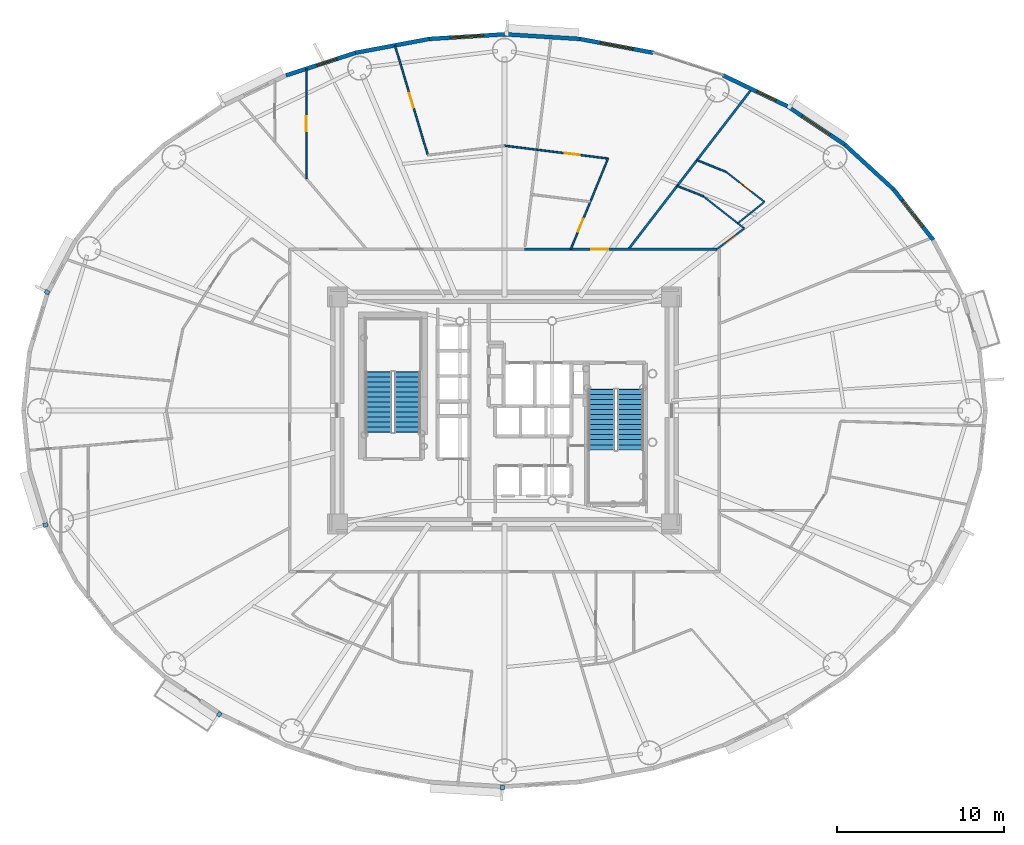
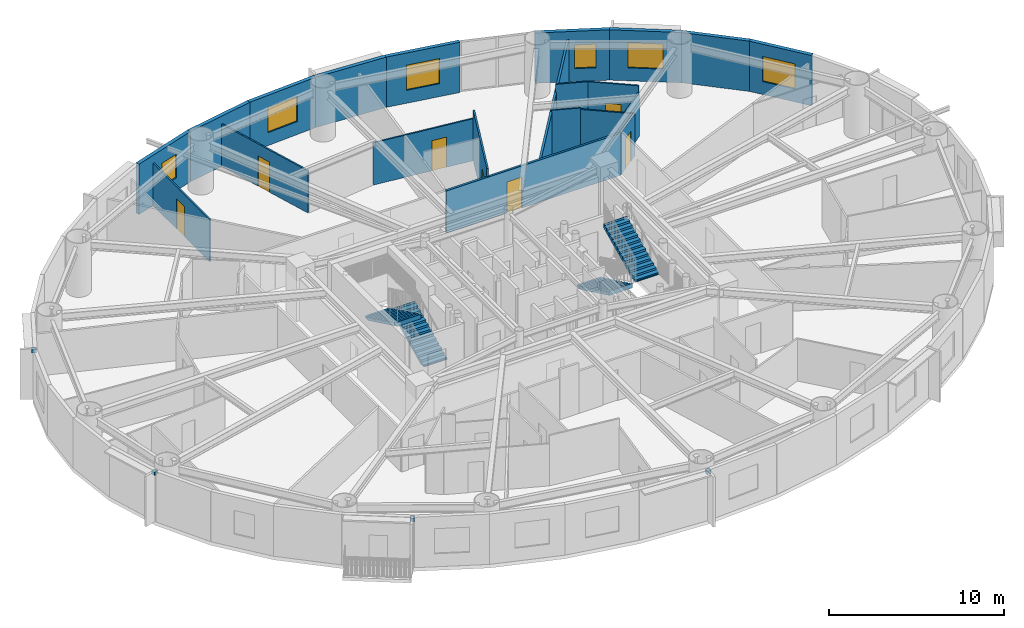
# One storey, part 11 of 18: 21 walls, 7 doors, 6 windows, 4 discrete accessories, 4 stair flights, 13 openings, 2 elements without a shape of their own.
"""IFC4 building model written with IfcOpenShell, lengths in metres."""

from ifc_helpers import new_model, si_unit, direction, frame, frame_2d, origin, origin_2d, place, context, subcontext, project, spatial, polyline, rectangle, outline, extrude, source, transform, mapped, material, layer, layer_set, type_object, element, fill, aggregate, save


model = new_model("IFC4")

# Units and contexts
model_context = context("Model", 3, precision=1e-05, world=origin(), true_north=direction((0.0, 1.0)))
body_context = subcontext(model_context, "Body", "Model", "MODEL_VIEW")
ifc_project = project(units=[si_unit("LENGTHUNIT", "METRE"), si_unit("AREAUNIT", "SQUARE_METRE"), si_unit("VOLUMEUNIT", "CUBIC_METRE"), si_unit("PLANEANGLEUNIT", "RADIAN"), si_unit("MASSUNIT", "GRAM", prefix="KILO")], contexts=[model_context])

# Site, building, storey
site_placement = place(None, origin())
site = spatial("IfcSite", under=ifc_project, at=site_placement, CompositionType="ELEMENT")
building_placement = place(site_placement, origin())
building = spatial("IfcBuilding", under=site, at=building_placement, Name="Linh Dai School and Residence Tower", CompositionType="ELEMENT")
storey_placement = place(building_placement, frame((0.0, 0.0, 100.949951171875)))
storey = spatial("IfcBuildingStorey", under=building, at=storey_placement, Name="L23", CompositionType="ELEMENT", Elevation=100.949951171875)

# Wall, opening, window
ifc_material_1 = material(Name="Precast Concrete B45 (C35/45)", Category="concrete")
ifc_layer_1 = layer(ifc_material_1, 0.239990234375)
ifc_layer_set_1 = layer_set([ifc_layer_1], Name="Precast Concrete B45 (C35/45)")
wall_type_1 = type_object("IfcWallType", Name="EW-TC-240", PredefinedType="SOLIDWALL", material=ifc_layer_set_1)
wall_1_placement = place(storey_placement, frame((59.2890625, 40.216552734375, 0.0), z_axis=(0.0, 0.0, 1.0), x_axis=(0.616272103517, -0.787533297345, 0.0)))
wall_1 = element("IfcWall", 1, at=wall_1_placement, inside=storey, type_object=wall_type_1, Name="L23 Terracotta Exterior Wall 04", PredefinedType="SOLIDWALL", context=body_context, shape_type="SweptSolid", body=[
    extrude(rectangle(XDim=3.8232421875, YDim=0.239990234375, at=frame_2d((1.91162109375, 0.0))), origin(), (0.0, 0.0, 1.0), 3.5),
])
opening_1_placement = place(wall_1_placement, frame((0.823974609375, 0.0, 0.89990234375)))
opening_1 = element("IfcOpeningElement", 2, at=opening_1_placement, cuts=wall_1, Name="Opening W1", PredefinedType="OPENING", context=body_context, shape_type="SweptSolid", body=[
    extrude(rectangle(XDim=2.0, YDim=1.75, at=origin_2d()), frame((1.0, 0.1298828125, 0.875), z_axis=(0.0, -1.0, 0.0), x_axis=(1.0, 0.0, 0.0)), (0.0, 0.0, 1.0), 0.260009765625),
])
ifc_material_2 = material(Name="Double Low-E Insulated Glazing", Category="glass")
window_type_1 = type_object("IfcWindowType", Name="WN-RES-2000x1750", PartitioningType="DOUBLE_PANEL_VERTICAL", PredefinedType="WINDOW", material=ifc_material_2)
shared_shape_1 = source(origin(), body_context, "Body", "SweptSolid", [
    extrude(rectangle(XDim=2.0, YDim=1.75, at=origin_2d()), frame((1.0, 0.030029296875, 0.875), z_axis=(0.0, -1.0, 0.0), x_axis=(1.0, 0.0, 0.0)), (0.0, 0.0, 1.0), 0.06005859375),
])
window_1_placement = place(opening_1_placement, origin())
window_1 = element("IfcWindow", 3, at=window_1_placement, inside=storey, type_object=window_type_1, Name="L23 Exterior Window 04.1", OverallHeight=1.75, OverallWidth=2.0, PartitioningType="DOUBLE_PANEL_VERTICAL", PredefinedType="WINDOW", context=body_context, shape_type="MappedRepresentation", body=[
    mapped(shared_shape_1, transform((0.0, 0.0, 0.0), x_axis=(1.0, 0.0, 0.0), y_axis=(0.0, 1.0, 0.0), z_axis=(0.0, 0.0, 1.0), scale=1.0)),
])
fill(opening_1, window_1)

# Wall
wall_2_placement = place(storey_placement, frame((56.3583984375, 42.9033203125, 0.0), z_axis=(0.0, 0.0, 1.0), x_axis=(0.737113356241, -0.675769117414, 0.0)))
element("IfcWall", 4, at=wall_2_placement, inside=storey, type_object=wall_type_1, Name="L23 Terracotta Exterior Wall 05", PredefinedType="SOLIDWALL", context=body_context, shape_type="SweptSolid", body=[
    extrude(rectangle(XDim=3.975830078125, YDim=0.239990234375, at=frame_2d((1.98779296875, 0.0))), origin(), (0.0, 0.0, 1.0), 3.5),
])

# Wall, opening, window
wall_3_placement = place(storey_placement, frame((52.92529296875, 45.199462890625, 0.0), z_axis=(0.0, 0.0, 1.0), x_axis=(0.831221811447, -0.555940914284, 0.0)))
wall_3 = element("IfcWall", 5, at=wall_3_placement, inside=storey, type_object=wall_type_1, Name="L23 Terracotta Exterior Wall 06", PredefinedType="SOLIDWALL", context=body_context, shape_type="SweptSolid", body=[
    extrude(rectangle(XDim=4.130126953125, YDim=0.239990234375, at=frame_2d((2.06494140625, 0.0))), origin(), (0.0, 0.0, 1.0), 3.5),
])
opening_2_placement = place(wall_3_placement, frame((1.06494140625, 0.0, 0.89990234375)))
opening_2 = element("IfcOpeningElement", 6, at=opening_2_placement, cuts=wall_3, Name="Opening W1", PredefinedType="OPENING", context=body_context, shape_type="SweptSolid", body=[
    extrude(rectangle(XDim=2.0, YDim=1.75, at=origin_2d()), frame((1.0, 0.1298828125, 0.875), z_axis=(0.0, -1.0, 0.0), x_axis=(1.0, 0.0, 0.0)), (0.0, 0.0, 1.0), 0.260009765625),
])
window_2_placement = place(opening_2_placement, origin())
window_2 = element("IfcWindow", 7, at=window_2_placement, inside=storey, type_object=window_type_1, Name="L23 Exterior Window 06.1", OverallHeight=1.75, OverallWidth=2.0, PartitioningType="DOUBLE_PANEL_VERTICAL", PredefinedType="WINDOW", context=body_context, shape_type="MappedRepresentation", body=[
    mapped(shared_shape_1, transform((0.0, 0.0, 0.0), x_axis=(1.0, 0.0, 0.0), y_axis=(0.0, 1.0, 0.0), z_axis=(0.0, 0.0, 1.0), scale=1.0)),
])
fill(opening_2, window_2)

wall_4_placement = place(storey_placement, frame((49.073974609375, 47.04736328125, 0.0), z_axis=(0.0, 0.0, 1.0), x_axis=(0.901589935876, -0.432591709962, 0.0)))
wall_4 = element("IfcWall", 8, at=wall_4_placement, inside=storey, type_object=wall_type_1, Name="L23 Terracotta Exterior Wall 07", PredefinedType="SOLIDWALL", context=body_context, shape_type="SweptSolid", body=[
    extrude(rectangle(XDim=4.271728515625, YDim=0.239990234375, at=frame_2d((2.1357421875, 0.0))), origin(), (0.0, 0.0, 1.0), 3.5),
])
opening_3_placement = place(wall_4_placement, frame((2.251953125, 0.0, 0.89990234375)))
opening_3 = element("IfcOpeningElement", 9, at=opening_3_placement, cuts=wall_4, Name="Opening W3", PredefinedType="OPENING", context=body_context, shape_type="SweptSolid", body=[
    extrude(rectangle(XDim=1.25, YDim=1.64990234375, at=origin_2d()), frame((0.625, 0.1298828125, 0.824951171875), z_axis=(0.0, -1.0, 0.0), x_axis=(1.0, 0.0, 0.0)), (0.0, 0.0, 1.0), 0.260009765625),
])
window_type_2 = type_object("IfcWindowType", Name="WN-RES-1250x1650", PartitioningType="SINGLE_PANEL", PredefinedType="WINDOW", material=ifc_material_2)
shared_shape_2 = source(origin(), body_context, "Body", "SweptSolid", [
    extrude(rectangle(XDim=1.25, YDim=1.64990234375, at=origin_2d()), frame((0.625, 0.030029296875, 0.824951171875), z_axis=(0.0, -1.0, 0.0), x_axis=(1.0, 0.0, 0.0)), (0.0, 0.0, 1.0), 0.06005859375),
])
window_3_placement = place(opening_3_placement, origin())
window_3 = element("IfcWindow", 10, at=window_3_placement, inside=storey, type_object=window_type_2, Name="L23 Exterior Window 07.1", OverallHeight=1.64990234375, OverallWidth=1.25, PartitioningType="SINGLE_PANEL", PredefinedType="WINDOW", context=body_context, shape_type="MappedRepresentation", body=[
    mapped(shared_shape_2, transform((0.0, 0.0, 0.0), x_axis=(1.0, 0.0, 0.0), y_axis=(0.0, 1.0, 0.0), z_axis=(0.0, 0.0, 1.0), scale=1.0)),
])
fill(opening_3, window_3)

wall_5_placement = place(storey_placement, frame((40.505615234375, 49.227294921875, 0.0), z_axis=(0.0, 0.0, 1.0), x_axis=(0.982789252177, -0.184730305596, 0.0)))
wall_5 = element("IfcWall", 11, at=wall_5_placement, inside=storey, type_object=wall_type_1, Name="L23 Terracotta Exterior Wall 09", PredefinedType="SOLIDWALL", context=body_context, shape_type="SweptSolid", body=[
    extrude(rectangle(XDim=4.470947265625, YDim=0.239990234375, at=frame_2d((2.2353515625, 0.0))), origin(), (0.0, 0.0, 1.0), 3.5),
])
opening_4_placement = place(wall_5_placement, frame((1.235595703125, 0.0, 0.89990234375)))
opening_4 = element("IfcOpeningElement", 12, at=opening_4_placement, cuts=wall_5, Name="Opening W1", PredefinedType="OPENING", context=body_context, shape_type="SweptSolid", body=[
    extrude(rectangle(XDim=2.0, YDim=1.75, at=origin_2d()), frame((1.0, 0.1298828125, 0.875), z_axis=(0.0, -1.0, 0.0), x_axis=(1.0, 0.0, 0.0)), (0.0, 0.0, 1.0), 0.260009765625),
])
window_4_placement = place(opening_4_placement, origin())
window_4 = element("IfcWindow", 13, at=window_4_placement, inside=storey, type_object=window_type_1, Name="L23 Exterior Window 09.1", OverallHeight=1.75, OverallWidth=2.0, PartitioningType="DOUBLE_PANEL_VERTICAL", PredefinedType="WINDOW", context=body_context, shape_type="MappedRepresentation", body=[
    mapped(shared_shape_1, transform((0.0, 0.0, 0.0), x_axis=(1.0, 0.0, 0.0), y_axis=(0.0, 1.0, 0.0), z_axis=(0.0, 0.0, 1.0), scale=1.0)),
])
fill(opening_4, window_4)

# Wall
wall_6_placement = place(storey_placement, frame((36.0, 49.5048828125, 0.0), z_axis=(0.0, 0.0, 1.0), x_axis=(0.998107531589, -0.061492726276, 0.0)))
element("IfcWall", 14, at=wall_6_placement, inside=storey, type_object=wall_type_1, Name="L23 Terracotta Exterior Wall 10", PredefinedType="SOLIDWALL", context=body_context, shape_type="SweptSolid", body=[
    extrude(rectangle(XDim=4.51416015625, YDim=0.239990234375, at=frame_2d((2.257080078125, 0.0))), origin(), (0.0, 0.0, 1.0), 3.5),
])

# Wall, opening, window
wall_7_placement = place(storey_placement, frame((31.494384765625, 49.227294921875, 0.0), z_axis=(0.0, 0.0, 1.0), x_axis=(0.998107531589, 0.061492726276, 0.0)))
wall_7 = element("IfcWall", 15, at=wall_7_placement, inside=storey, type_object=wall_type_1, Name="L23 Terracotta Exterior Wall 11", PredefinedType="SOLIDWALL", context=body_context, shape_type="SweptSolid", body=[
    extrude(rectangle(XDim=4.51416015625, YDim=0.239990234375, at=frame_2d((2.257080078125, 0.0))), origin(), (0.0, 0.0, 1.0), 3.5),
])
opening_5_placement = place(wall_7_placement, frame((1.257080078125, 0.0, 0.89990234375)))
opening_5 = element("IfcOpeningElement", 16, at=opening_5_placement, cuts=wall_7, Name="Opening W1", PredefinedType="OPENING", context=body_context, shape_type="SweptSolid", body=[
    extrude(rectangle(XDim=2.0, YDim=1.75, at=origin_2d()), frame((1.0, 0.1298828125, 0.875), z_axis=(0.0, -1.0, 0.0), x_axis=(1.0, 0.0, 0.0)), (0.0, 0.0, 1.0), 0.260009765625),
])
window_5_placement = place(opening_5_placement, origin())
window_5 = element("IfcWindow", 17, at=window_5_placement, inside=storey, type_object=window_type_1, Name="L23 Exterior Window 11.1", OverallHeight=1.75, OverallWidth=2.0, PartitioningType="DOUBLE_PANEL_VERTICAL", PredefinedType="WINDOW", context=body_context, shape_type="MappedRepresentation", body=[
    mapped(shared_shape_1, transform((0.0, 0.0, 0.0), x_axis=(1.0, 0.0, 0.0), y_axis=(0.0, 1.0, 0.0), z_axis=(0.0, 0.0, 1.0), scale=1.0)),
])
fill(opening_5, window_5)

# Wall
wall_8_placement = place(storey_placement, frame((27.100341796875, 48.4013671875, 0.0), z_axis=(0.0, 0.0, 1.0), x_axis=(0.982789252177, 0.184730305596, 0.0)))
element("IfcWall", 18, at=wall_8_placement, inside=storey, type_object=wall_type_1, Name="L23 Terracotta Exterior Wall 12", PredefinedType="SOLIDWALL", context=body_context, shape_type="SweptSolid", body=[
    extrude(rectangle(XDim=4.470947265625, YDim=0.239990234375, at=frame_2d((2.2353515625, 0.0))), origin(), (0.0, 0.0, 1.0), 3.5),
])

# Wall, opening, window
wall_9_placement = place(storey_placement, frame((22.926025390625, 47.04736328125, 0.0), z_axis=(0.0, 0.0, 1.0), x_axis=(0.951211346073, 0.308540070495, 0.0)))
wall_9 = element("IfcWall", 19, at=wall_9_placement, inside=storey, type_object=wall_type_1, Name="L23 Terracotta Exterior Wall 13", PredefinedType="SOLIDWALL", context=body_context, shape_type="SweptSolid", body=[
    extrude(rectangle(XDim=4.388427734375, YDim=0.239990234375, at=frame_2d((2.1943359375, 0.0))), origin(), (0.0, 0.0, 1.0), 3.5),
])
opening_6_placement = place(wall_9_placement, frame((1.9482421875, 0.0, 0.89990234375)))
opening_6 = element("IfcOpeningElement", 20, at=opening_6_placement, cuts=wall_9, Name="Opening W3", PredefinedType="OPENING", context=body_context, shape_type="SweptSolid", body=[
    extrude(rectangle(XDim=1.25, YDim=1.64990234375, at=origin_2d()), frame((0.625, 0.1298828125, 0.824951171875), z_axis=(0.0, -1.0, 0.0), x_axis=(1.0, 0.0, 0.0)), (0.0, 0.0, 1.0), 0.260009765625),
])
window_6_placement = place(opening_6_placement, origin())
window_6 = element("IfcWindow", 21, at=window_6_placement, inside=storey, type_object=window_type_2, Name="L23 Dwelling Window U2303-LIV", OverallHeight=1.64990234375, OverallWidth=1.25, PartitioningType="SINGLE_PANEL", PredefinedType="WINDOW", context=body_context, shape_type="MappedRepresentation", body=[
    mapped(shared_shape_2, transform((0.0, 0.0, 0.0), x_axis=(1.0, 0.0, 0.0), y_axis=(0.0, 1.0, 0.0), z_axis=(0.0, 0.0, 1.0), scale=1.0)),
])
fill(opening_6, window_6)

# Wall, opening, door
ifc_material_3 = material(Name="Autoclaved Aerated Concrete Blockwork", Category="masonry")
ifc_layer_2 = layer(ifc_material_3, 0.135009765625)
ifc_layer_set_2 = layer_set([ifc_layer_2], Name="Autoclaved Aerated Concrete Blockwork")
wall_type_2 = type_object("IfcWallType", Name="IW-CORR-135-EI90", PredefinedType="PARTITIONING", material=ifc_layer_set_2)
wall_10_placement = place(storey_placement, frame((37.205078125, 36.64990234375, 0.0), z_axis=(0.0, 0.0, 1.0), x_axis=(1.0, 0.0, 0.0)))
wall_10 = element("IfcWall", 22, at=wall_10_placement, inside=storey, type_object=wall_type_2, Name="L23 Interior Partition Wall 057", PredefinedType="PARTITIONING", context=body_context, shape_type="SweptSolid", body=[
    extrude(rectangle(XDim=11.498779296875, YDim=0.135009765625, at=frame_2d((5.74951171875, 0.0))), origin(), (0.0, 0.0, 1.0), 2.93505859375),
])
opening_7_placement = place(wall_10_placement, frame((3.98779296875, 0.0, 0.0)))
opening_7 = element("IfcOpeningElement", 23, at=opening_7_placement, cuts=wall_10, Name="Opening D03", PredefinedType="OPENING", context=body_context, shape_type="SweptSolid", body=[
    extrude(rectangle(XDim=1.0, YDim=2.14990234375, at=origin_2d()), frame((0.5, 0.07763671875, 1.074951171875), z_axis=(0.0, -1.0, 0.0), x_axis=(1.0, 0.0, 0.0)), (0.0, 0.0, 1.0), 0.155029296875),
])
ifc_material_4 = material(Name="Fire-Rated Solid Timber Entrance Door", Category="wood")
door_type_1 = type_object("IfcDoorType", Name="DR-FLAT-1000x2150-FD60S", OperationType="NOTDEFINED", PredefinedType="DOOR", material=ifc_material_4)
shared_shape_3 = source(origin(), body_context, "Body", "SweptSolid", [
    extrude(rectangle(XDim=1.0, YDim=2.14990234375, at=origin_2d()), frame((0.5, 0.02490234375, 1.074951171875), z_axis=(0.0, -1.0, 0.0), x_axis=(1.0, 0.0, 0.0)), (0.0, 0.0, 1.0), 0.050048828125),
])
door_1_placement = place(opening_7_placement, origin())
door_1 = element("IfcDoor", 24, at=door_1_placement, inside=storey, type_object=door_type_1, Name="L23 U2302 Apartment Entrance Door", OperationType="SINGLE_SWING_LEFT", OverallHeight=2.14990234375, OverallWidth=1.0, PredefinedType="DOOR", context=body_context, shape_type="MappedRepresentation", body=[
    mapped(shared_shape_3, transform((0.0, 0.0, 0.0), x_axis=(1.0, 0.0, 0.0), y_axis=(0.0, 1.0, 0.0), z_axis=(0.0, 0.0, 1.0), scale=1.0)),
])
fill(opening_7, door_1)

# Wall
wall_11_placement = place(storey_placement, frame((43.42041015625, 36.64990234375, 0.0), z_axis=(0.0, 0.0, 1.0), x_axis=(0.609572126114, 0.792730611913, 0.0)))
element("IfcWall", 25, at=wall_11_placement, inside=storey, type_object=wall_type_2, Name="L23 Interior Partition Wall 076", PredefinedType="PARTITIONING", context=body_context, shape_type="SweptSolid", body=[
    extrude(rectangle(XDim=12.0859375, YDim=0.135009765625, at=frame_2d((6.04296875, 0.0))), origin(), (0.0, 0.0, 1.0), 2.93505859375),
])

# Wall, opening, door
ifc_material_5 = material(Name="Gypsum Plasterboard Acoustic Stud Partition", Category="masonry")
ifc_layer_3 = layer(ifc_material_5, 0.10009765625)
ifc_layer_set_3 = layer_set([ifc_layer_3], Name="Gypsum Plasterboard Acoustic Stud Partition")
wall_type_3 = type_object("IfcWallType", Name="IW-UNIT-100", PredefinedType="PARTITIONING", material=ifc_layer_set_3)
wall_12_placement = place(storey_placement, frame((24.147216796875, 40.863525390625, 0.0), z_axis=(0.0, 0.0, 1.0), x_axis=(0.0, 1.0, 0.0)))
wall_12 = element("IfcWall", 26, at=wall_12_placement, inside=storey, type_object=wall_type_3, Name="L23 Interior Partition Wall 023", PredefinedType="PARTITIONING", context=body_context, shape_type="SweptSolid", body=[
    extrude(rectangle(XDim=6.585205078125, YDim=0.10009765625, at=frame_2d((3.29248046875, 0.0))), origin(), (0.0, 0.0, 1.0), 2.93505859375),
])
opening_8_placement = place(wall_12_placement, frame((2.8427734375, 0.0, 0.0)))
opening_8 = element("IfcOpeningElement", 27, at=opening_8_placement, cuts=wall_12, Name="Opening D05", PredefinedType="OPENING", context=body_context, shape_type="SweptSolid", body=[
    extrude(rectangle(XDim=0.89990234375, YDim=2.10009765625, at=origin_2d()), frame((0.449951171875, 0.06005859375, 1.050048828125), z_axis=(0.0, -1.0, 0.0), x_axis=(1.0, 0.0, 0.0)), (0.0, 0.0, 1.0), 0.1201171875),
])
ifc_material_6 = material(Name="Engineered Timber Internal Door", Category="wood")
door_type_2 = type_object("IfcDoorType", Name="DR-INT-900x2100", OperationType="NOTDEFINED", PredefinedType="DOOR", material=ifc_material_6)
shared_shape_4 = source(origin(), body_context, "Body", "SweptSolid", [
    extrude(rectangle(XDim=0.89990234375, YDim=2.10009765625, at=origin_2d()), frame((0.449951171875, 0.02490234375, 1.050048828125), z_axis=(0.0, -1.0, 0.0), x_axis=(1.0, 0.0, 0.0)), (0.0, 0.0, 1.0), 0.050048828125),
])
door_2_placement = place(opening_8_placement, origin())
door_2 = element("IfcDoor", 28, at=door_2_placement, inside=storey, type_object=door_type_2, Name="L23 Apartment U2303 Kitchen Door", OperationType="SINGLE_SWING_RIGHT", OverallHeight=2.10009765625, OverallWidth=0.89990234375, PredefinedType="DOOR", context=body_context, shape_type="MappedRepresentation", body=[
    mapped(shared_shape_4, transform((0.0, 0.0, 0.0), x_axis=(1.0, 0.0, 0.0), y_axis=(0.0, 1.0, 0.0), z_axis=(0.0, 0.0, 1.0), scale=1.0)),
])
fill(opening_8, door_2)

wall_13_placement = place(storey_placement, frame((29.443115234375, 48.8466796875, 0.0), z_axis=(0.0, 0.0, 1.0), x_axis=(0.287465357653, -0.957791035743, 0.0)))
wall_13 = element("IfcWall", 29, at=wall_13_placement, inside=storey, type_object=wall_type_3, Name="L23 Interior Partition Wall 028", PredefinedType="PARTITIONING", context=body_context, shape_type="SweptSolid", body=[
    extrude(rectangle(XDim=6.864013671875, YDim=0.10009765625, at=frame_2d((3.43212890625, 0.0))), origin(), (0.0, 0.0, 1.0), 2.93505859375),
])
opening_9_placement = place(wall_13_placement, frame((2.98193359375, 0.0, 0.0)))
opening_9 = element("IfcOpeningElement", 30, at=opening_9_placement, cuts=wall_13, Name="Opening D05", PredefinedType="OPENING", context=body_context, shape_type="SweptSolid", body=[
    extrude(rectangle(XDim=0.89990234375, YDim=2.10009765625, at=origin_2d()), frame((0.449951171875, 0.06005859375, 1.050048828125), z_axis=(0.0, -1.0, 0.0), x_axis=(1.0, 0.0, 0.0)), (0.0, 0.0, 1.0), 0.1201171875),
])
door_3_placement = place(opening_9_placement, origin())
door_3 = element("IfcDoor", 31, at=door_3_placement, inside=storey, type_object=door_type_2, Name="L23 Apartment U2303 Principal Bedroom 1 Door", OperationType="SINGLE_SWING_LEFT", OverallHeight=2.10009765625, OverallWidth=0.89990234375, PredefinedType="DOOR", context=body_context, shape_type="MappedRepresentation", body=[
    mapped(shared_shape_4, transform((0.0, 0.0, 0.0), x_axis=(1.0, 0.0, 0.0), y_axis=(0.0, 1.0, 0.0), z_axis=(0.0, 0.0, 1.0), scale=1.0)),
])
fill(opening_9, door_3)

wall_14_placement = place(storey_placement, frame((36.0, 42.841064453125, 0.0), z_axis=(0.0, 0.0, 1.0), x_axis=(0.992393593066, -0.123105468776, 0.0)))
wall_14 = element("IfcWall", 32, at=wall_14_placement, inside=storey, type_object=wall_type_3, Name="L23 Interior Partition Wall 054", PredefinedType="PARTITIONING", context=body_context, shape_type="SweptSolid", body=[
    extrude(rectangle(XDim=6.240966796875, YDim=0.10009765625, at=frame_2d((3.12060546875, 0.0))), origin(), (0.0, 0.0, 1.0), 2.93505859375),
])
opening_10_placement = place(wall_14_placement, frame((3.6318359375, 0.0, 0.0)))
opening_10 = element("IfcOpeningElement", 33, at=opening_10_placement, cuts=wall_14, Name="Opening D05", PredefinedType="OPENING", context=body_context, shape_type="SweptSolid", body=[
    extrude(rectangle(XDim=0.89990234375, YDim=2.10009765625, at=origin_2d()), frame((0.449951171875, 0.06005859375, 1.050048828125), z_axis=(0.0, -1.0, 0.0), x_axis=(1.0, 0.0, 0.0)), (0.0, 0.0, 1.0), 0.1201171875),
])
door_4_placement = place(opening_10_placement, origin())
door_4 = element("IfcDoor", 34, at=door_4_placement, inside=storey, type_object=door_type_2, Name="L23 Apartment U2302 Kitchen Door", OperationType="SINGLE_SWING_LEFT", OverallHeight=2.10009765625, OverallWidth=0.89990234375, PredefinedType="DOOR", context=body_context, shape_type="MappedRepresentation", body=[
    mapped(shared_shape_4, transform((0.0, 0.0, 0.0), x_axis=(1.0, 0.0, 0.0), y_axis=(0.0, 1.0, 0.0), z_axis=(0.0, 0.0, 1.0), scale=1.0)),
])
fill(opening_10, door_4)

wall_15_placement = place(storey_placement, frame((39.96533203125, 36.64990234375, 0.0), z_axis=(0.0, 0.0, 1.0), x_axis=(0.380069011115, 0.924958132452, 0.0)))
wall_15 = element("IfcWall", 35, at=wall_15_placement, inside=storey, type_object=wall_type_3, Name="L23 Interior Partition Wall 067", PredefinedType="PARTITIONING", context=body_context, shape_type="SweptSolid", body=[
    extrude(rectangle(XDim=5.86279296875, YDim=0.10009765625, at=frame_2d((2.931396484375, 0.0))), origin(), (0.0, 0.0, 1.0), 3.5),
])
opening_11_placement = place(wall_15_placement, frame((1.14453125, 0.0, 0.0)))
opening_11 = element("IfcOpeningElement", 36, at=opening_11_placement, cuts=wall_15, Name="Opening D06", PredefinedType="OPENING", context=body_context, shape_type="SweptSolid", body=[
    extrude(rectangle(XDim=0.820068359375, YDim=2.10009765625, at=origin_2d()), frame((0.41015625, 0.06005859375, 1.050048828125), z_axis=(0.0, -1.0, 0.0), x_axis=(1.0, 0.0, 0.0)), (0.0, 0.0, 1.0), 0.1201171875),
])
ifc_material_7 = material(Name="Moisture-Resistant Timber Bathroom Door", Category="wood")
door_type_3 = type_object("IfcDoorType", Name="DR-WET-820x2100", OperationType="NOTDEFINED", PredefinedType="DOOR", material=ifc_material_7)
shared_shape_5 = source(origin(), body_context, "Body", "SweptSolid", [
    extrude(rectangle(XDim=0.820068359375, YDim=2.10009765625, at=origin_2d()), frame((0.41015625, 0.02490234375, 1.050048828125), z_axis=(0.0, -1.0, 0.0), x_axis=(1.0, 0.0, 0.0)), (0.0, 0.0, 1.0), 0.050048828125),
])
door_5_placement = place(opening_11_placement, origin())
door_5 = element("IfcDoor", 37, at=door_5_placement, inside=storey, type_object=door_type_3, Name="L23 Apartment U2302 Bathroom Door", OperationType="SINGLE_SWING_RIGHT", OverallHeight=2.10009765625, OverallWidth=0.820068359375, PredefinedType="DOOR", context=body_context, shape_type="MappedRepresentation", body=[
    mapped(shared_shape_5, transform((0.0, 0.0, 0.0), x_axis=(1.0, 0.0, 0.0), y_axis=(0.0, 1.0, 0.0), z_axis=(0.0, 0.0, 1.0), scale=1.0)),
])
fill(opening_11, door_5)

# Walls
wall_16_placement = place(storey_placement, frame((46.332763671875, 40.437255859375, 0.0), z_axis=(0.0, 0.0, 1.0), x_axis=(0.928817558248, -0.370537371247, 0.0)))
element("IfcWall", 38, at=wall_16_placement, inside=storey, type_object=wall_type_3, Name="L23 Interior Partition Wall 079", PredefinedType="PARTITIONING", context=body_context, shape_type="SweptSolid", body=[
    extrude(rectangle(XDim=1.677490234375, YDim=0.10009765625, at=frame_2d((0.8388671875, 0.0))), origin(), (0.0, 0.0, 1.0), 3.03515625),
])
wall_17_placement = place(storey_placement, frame((47.513671875, 41.972900390625, 0.0), z_axis=(0.0, 0.0, 1.0), x_axis=(0.928809612726, -0.370557287485, 0.0)))
element("IfcWall", 39, at=wall_17_placement, inside=storey, type_object=wall_type_3, Name="L23 Interior Partition Wall 081", PredefinedType="PARTITIONING", context=body_context, shape_type="SweptSolid", body=[
    extrude(rectangle(XDim=1.869140625, YDim=0.10009765625, at=frame_2d((0.9345703125, 0.0))), origin(), (0.0, 0.0, 1.0), 3.5),
])
wall_18_placement = place(storey_placement, frame((47.890869140625, 39.815673828125, 0.0), z_axis=(0.0, 0.0, 1.0), x_axis=(0.787339621997, -0.616519520887, 0.0)))
element("IfcWall", 40, at=wall_18_placement, inside=storey, type_object=wall_type_3, Name="L23 Interior Partition Wall 082", PredefinedType="PARTITIONING", context=body_context, shape_type="SweptSolid", body=[
    extrude(rectangle(XDim=3.11572265625, YDim=0.10009765625, at=frame_2d((1.557861328125, 0.0))), origin(), (0.0, 0.0, 1.0), 2.93505859375),
])

# Wall, opening, door
wall_19_placement = place(storey_placement, frame((48.703857421875, 36.64990234375, 0.0), z_axis=(0.0, 0.0, 1.0), x_axis=(0.796299280247, 0.604902848628, 0.0)))
wall_19 = element("IfcWall", 41, at=wall_19_placement, inside=storey, type_object=wall_type_3, Name="L23 Interior Partition Wall 083", PredefinedType="PARTITIONING", context=body_context, shape_type="SweptSolid", body=[
    extrude(rectangle(XDim=2.058837890625, YDim=0.10009765625, at=frame_2d((1.029296875, 0.0))), origin(), (0.0, 0.0, 1.0), 2.93505859375),
])
opening_12_placement = place(wall_19_placement, frame((0.619384765625, 0.0, 0.0)))
opening_12 = element("IfcOpeningElement", 42, at=opening_12_placement, cuts=wall_19, Name="Opening D06", PredefinedType="OPENING", context=body_context, shape_type="SweptSolid", body=[
    extrude(rectangle(XDim=0.820068359375, YDim=2.10009765625, at=origin_2d()), frame((0.41015625, 0.06005859375, 1.050048828125), z_axis=(0.0, -1.0, 0.0), x_axis=(1.0, 0.0, 0.0)), (0.0, 0.0, 1.0), 0.1201171875),
])
door_6_placement = place(opening_12_placement, origin())
door_6 = element("IfcDoor", 43, at=door_6_placement, inside=storey, type_object=door_type_3, Name="L23 Apartment U2301 Bathroom Door", OperationType="SINGLE_SWING_LEFT", OverallHeight=2.10009765625, OverallWidth=0.820068359375, PredefinedType="DOOR", context=body_context, shape_type="MappedRepresentation", body=[
    mapped(shared_shape_5, transform((0.0, 0.0, 0.0), x_axis=(1.0, 0.0, 0.0), y_axis=(0.0, 1.0, 0.0), z_axis=(0.0, 0.0, 1.0), scale=1.0)),
])
fill(opening_12, door_6)

wall_20_placement = place(storey_placement, frame((49.249755859375, 41.2802734375, 0.0), z_axis=(0.0, 0.0, 1.0), x_axis=(0.787360471536, -0.616492893602, 0.0)))
wall_20 = element("IfcWall", 44, at=wall_20_placement, inside=storey, type_object=wall_type_3, Name="L23 Interior Partition Wall 088", PredefinedType="PARTITIONING", context=body_context, shape_type="SweptSolid", body=[
    extrude(rectangle(XDim=2.92333984375, YDim=0.10009765625, at=frame_2d((1.461669921875, 0.0))), origin(), (0.0, 0.0, 1.0), 3.5),
])
opening_13_placement = place(wall_20_placement, frame((1.01171875, 0.0, 0.0)))
opening_13 = element("IfcOpeningElement", 45, at=opening_13_placement, cuts=wall_20, Name="Opening D05", PredefinedType="OPENING", context=body_context, shape_type="SweptSolid", body=[
    extrude(rectangle(XDim=0.89990234375, YDim=2.10009765625, at=origin_2d()), frame((0.449951171875, 0.06005859375, 1.050048828125), z_axis=(0.0, -1.0, 0.0), x_axis=(1.0, 0.0, 0.0)), (0.0, 0.0, 1.0), 0.1201171875),
])
door_7_placement = place(opening_13_placement, origin())
door_7 = element("IfcDoor", 46, at=door_7_placement, inside=storey, type_object=door_type_2, Name="L23 Apartment U2301 Kitchen Door", OperationType="SINGLE_SWING_RIGHT", OverallHeight=2.10009765625, OverallWidth=0.89990234375, PredefinedType="DOOR", context=body_context, shape_type="MappedRepresentation", body=[
    mapped(shared_shape_4, transform((0.0, 0.0, 0.0), x_axis=(1.0, 0.0, 0.0), y_axis=(0.0, 1.0, 0.0), z_axis=(0.0, 0.0, 1.0), scale=1.0)),
])
fill(opening_13, door_7)

# Wall
wall_21_placement = place(storey_placement, frame((49.956298828125, 38.1982421875, 0.0), z_axis=(0.0, 0.0, 1.0), x_axis=(0.78000622602, 0.625771753413, 0.0)))
element("IfcWall", 47, at=wall_21_placement, inside=storey, type_object=wall_type_3, Name="L23 Interior Partition Wall 089", PredefinedType="PARTITIONING", context=body_context, shape_type="SweptSolid", body=[
    extrude(rectangle(XDim=2.045166015625, YDim=0.10009765625, at=frame_2d((1.0224609375, 0.0))), origin(), (0.0, 0.0, 1.0), 3.03515625),
])

# Stair, stair flights
ifc_material_8 = material(Name="Concrete B45 (C35/45)", Category="concrete")
stair_type = type_object("IfcStairType", Name="ST-DOG-1550-R1442", PredefinedType="HALF_TURN_STAIR", material=ifc_material_8)
stair_1_placement = place(storey_placement, origin())
stair_1 = element("IfcStair", 48, at=stair_1_placement, inside=storey, type_object=stair_type, Name="L23 Core Smokeproof Exit Stair ST1", PredefinedType="HALF_TURN_STAIR")
stair_flight_type = type_object("IfcStairFlightType", Name="STF-STR-1550-R1442", PredefinedType="STRAIGHT", material=ifc_material_8)
shared_shape_6 = source(origin(), body_context, "Body", "SweptSolid", [
    extrude(outline(polyline([(-0.02490234375, 0.0), (-0.02490234375, 0.06005859375), (0.0, 0.06005859375), (0.0, 0.144287109375), (0.300048828125, 0.144287109375), (0.300048828125, 0.28857421875), (0.60009765625, 0.28857421875), (0.60009765625, 0.4326171875), (0.89990234375, 0.4326171875), (0.89990234375, 0.576904296875), (1.199951171875, 0.576904296875), (1.199951171875, 0.72119140625), (1.5, 0.72119140625), (1.5, 0.865478515625), (1.800048828125, 0.865478515625), (1.800048828125, 1.009521484375), (2.10009765625, 1.009521484375), (2.10009765625, 1.15380859375), (2.39990234375, 1.15380859375), (2.39990234375, 1.298095703125), (2.699951171875, 1.298095703125), (2.699951171875, 1.4423828125), (3.0, 1.4423828125), (3.0, 1.58642578125), (3.300048828125, 1.58642578125), (3.300048828125, 1.730712890625), (3.60009765625, 1.730712890625), (3.60009765625, 1.875), (3.625, 1.875), (3.625, 1.564453125), (3.60009765625, 1.564453125), (0.345947265625, 0.0), (-0.02490234375, 0.0)])), frame((0.0, 0.77490234375, 0.0), z_axis=(0.0, -1.0, 0.0), x_axis=(1.0, 0.0, 0.0)), (0.0, 0.0, 1.0), 1.550048828125),
])
stair_flight_1_placement = place(storey_placement, frame((30.205078125, 25.699951171875, 0.0), z_axis=(0.0, 0.0, 1.0), x_axis=(0.0, 1.0, 0.0)))
stair_flight_1 = element("IfcStairFlight", 49, at=stair_flight_1_placement, type_object=stair_flight_type, Name="ST1 flight 1", NumberOfRisers=13, NumberOfTreads=12, PredefinedType="STRAIGHT", RiserHeight=0.144230769, TreadLength=0.3, context=body_context, shape_type="MappedRepresentation", body=[
    mapped(shared_shape_6, transform((0.0, 0.0, 0.0), x_axis=(1.0, 0.0, 0.0), y_axis=(0.0, 1.0, 0.0), z_axis=(0.0, 0.0, 1.0), scale=1.0)),
])
stair_flight_2_placement = place(storey_placement, frame((28.455078125, 29.300048828125, 1.875), z_axis=(0.0, 0.0, 1.0), x_axis=(0.0, -1.0, 0.0)))
stair_flight_2 = element("IfcStairFlight", 50, at=stair_flight_2_placement, type_object=stair_flight_type, Name="ST1 flight 2", NumberOfRisers=13, NumberOfTreads=12, PredefinedType="STRAIGHT", RiserHeight=0.144230769, TreadLength=0.3, context=body_context, shape_type="MappedRepresentation", body=[
    mapped(shared_shape_6, transform((0.0, 0.0, 0.0), x_axis=(1.0, 0.0, 0.0), y_axis=(0.0, 1.0, 0.0), z_axis=(0.0, 0.0, 1.0), scale=1.0)),
])
aggregate(stair_1, [stair_flight_1, stair_flight_2])

stair_2_placement = place(storey_placement, origin())
stair_2 = element("IfcStair", 51, at=stair_2_placement, inside=storey, type_object=stair_type, Name="L23 Core Smokeproof Exit Stair ST2", PredefinedType="HALF_TURN_STAIR")
stair_flight_3_placement = place(storey_placement, frame((41.794921875, 28.25, 0.0), z_axis=(0.0, 0.0, 1.0), x_axis=(0.0, -1.0, 0.0)))
stair_flight_3 = element("IfcStairFlight", 52, at=stair_flight_3_placement, type_object=stair_flight_type, Name="ST2 flight 1", NumberOfRisers=13, NumberOfTreads=12, PredefinedType="STRAIGHT", RiserHeight=0.144230769, TreadLength=0.3, context=body_context, shape_type="MappedRepresentation", body=[
    mapped(shared_shape_6, transform((0.0, 0.0, 0.0), x_axis=(1.0, 0.0, 0.0), y_axis=(0.0, 1.0, 0.0), z_axis=(0.0, 0.0, 1.0), scale=1.0)),
])
stair_flight_4_placement = place(storey_placement, frame((43.544921875, 24.64990234375, 1.875), z_axis=(0.0, 0.0, 1.0), x_axis=(0.0, 1.0, 0.0)))
stair_flight_4 = element("IfcStairFlight", 53, at=stair_flight_4_placement, type_object=stair_flight_type, Name="ST2 flight 2", NumberOfRisers=13, NumberOfTreads=12, PredefinedType="STRAIGHT", RiserHeight=0.144230769, TreadLength=0.3, context=body_context, shape_type="MappedRepresentation", body=[
    mapped(shared_shape_6, transform((0.0, 0.0, 0.0), x_axis=(1.0, 0.0, 0.0), y_axis=(0.0, 1.0, 0.0), z_axis=(0.0, 0.0, 1.0), scale=1.0)),
])
aggregate(stair_2, [stair_flight_3, stair_flight_4])

# Discrete accessories
ifc_material_9 = material(Name="Structural Steel S355JR", Category="steel")
discrete_accessory_type = type_object("IfcDiscreteAccessoryType", Name="ACC-BRK-S355", PredefinedType="BRACKET", material=ifc_material_9)
shared_shape_7 = source(origin(), body_context, "Body", "SweptSolid", [
    extrude(rectangle(XDim=0.280029296875, YDim=0.239990234375, at=origin_2d()), origin(), (0.0, 0.0, 1.0), 0.219970703125),
])
for number, where, z_axis, x_axis, name in (
    (54, (8.633056640625, 34.079345703125, 3.25), (0.0, 0.0, 1.0), (-0.883942180016, 0.467596217252, 0.0), "L23 Facade Frame Anchor Bracket 18"),
    (55, (8.537353515625, 20.152099609375, 3.25), (0.0, 0.0, 1.0), (-0.956071511028, -0.293133528962, 0.0), "L23 Facade Frame Anchor Bracket 22"),
    (56, (18.941650390625, 8.8173828125, 3.25), (0.0, 0.0, 1.0), (-0.555913198527, -0.831240347736, 0.0), "L23 Facade Frame Anchor Bracket 26"),
    (57, (35.87646484375, 4.4423828125, 3.25), (0.0, 0.0, 1.0), (-0.061509255091, -0.998106513123, 0.0), "L23 Facade Frame Anchor Bracket 30"),
):
    element("IfcDiscreteAccessory", number, at=place(storey_placement, frame(where, z_axis=z_axis, x_axis=x_axis)), inside=storey, type_object=discrete_accessory_type, Name=name, PredefinedType="BRACKET", context=body_context, shape_type="MappedRepresentation", body=[
        mapped(shared_shape_7, transform((0.0, 0.0, 0.0), x_axis=(1.0, 0.0, 0.0), y_axis=(0.0, 1.0, 0.0), z_axis=(0.0, 0.0, 1.0), scale=1.0)),
    ])

save(model, "model.ifc")
